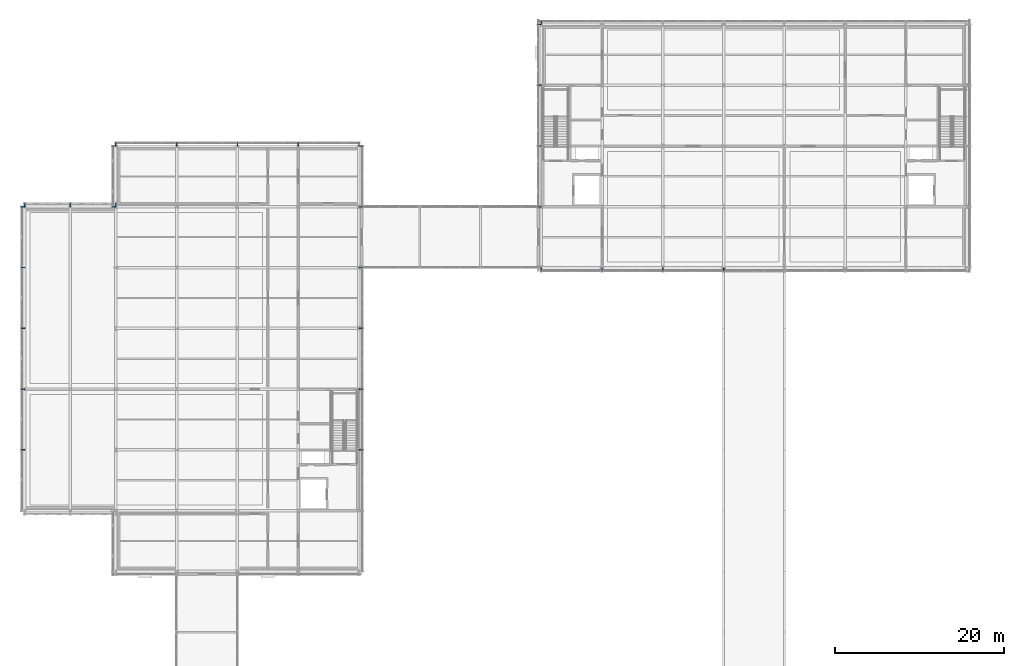
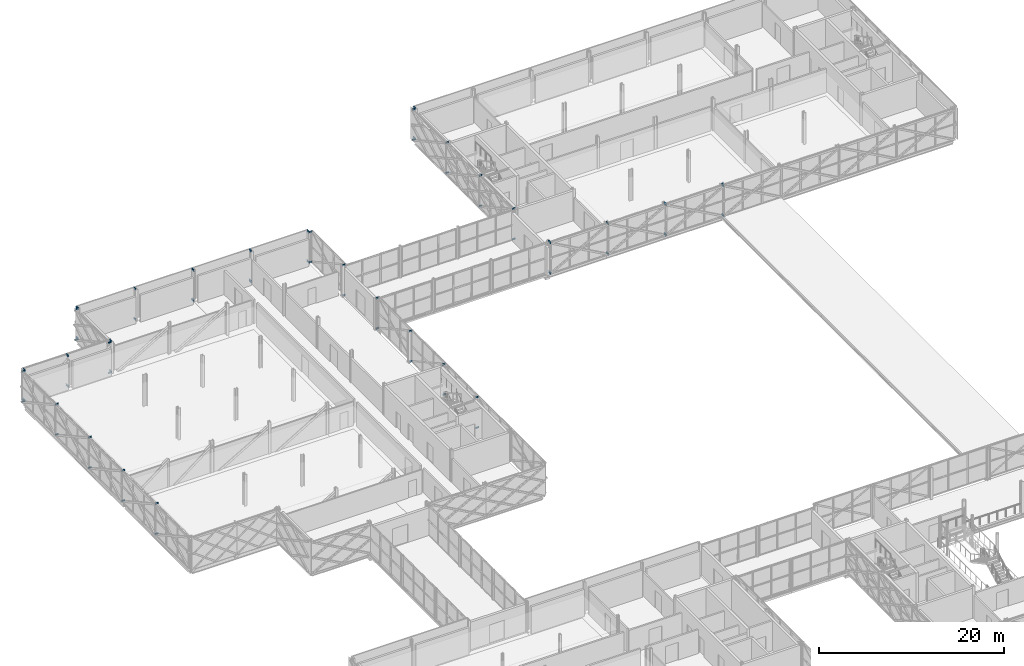
# One storey, part 71 of 126: 60 beams.
"""IFC4 building model written with IfcOpenShell, lengths in metres."""

import ifcopenshell
import ifcopenshell.guid

model = None  # the IFC model being written
_history = None  # IfcOwnerHistory: only IFC2X3 demands one
_inside = {}  # id of a spatial element -> (the spatial element, [elements in it])
_under = {}  # id of a project, library or spatial element -> (it, [spatial elements below it])
_declared = {}  # id of a project -> (the project, [libraries it declares])
_typed = {}  # id of a type object -> (the type object, [elements of that type])
_made_of = {}  # id of a material, layer set ... -> (it, [elements and type objects made of it])


def new_model(schema):
    """Start an empty IFC model of exactly this schema.

    Asked for "IFC4X3", IfcOpenShell would pick the latest addendum, in which some entities
    have other attributes; the version numbers below select the first issue.
    IFC2X3 requires an IfcOwnerHistory on every rooted entity: one is made here for all.
    """
    global model, _history
    if schema == "IFC4X3":
        model = ifcopenshell.file(schema_version=(4, 3, 0, 0))
    else:
        model = ifcopenshell.file(schema=schema)
    _inside.clear()
    _under.clear()
    _declared.clear()
    _typed.clear()
    _made_of.clear()
    _history = None
    if model.schema == "IFC2X3":
        org = make("IfcOrganization", Name="unknown")
        user = make(
            "IfcPersonAndOrganization",
            ThePerson=make("IfcPerson", FamilyName="unknown"),
            TheOrganization=org,
        )
        app = make(
            "IfcApplication",
            ApplicationDeveloper=org,
            Version="unknown",
            ApplicationFullName="unknown",
            ApplicationIdentifier="unknown",
        )
        _history = make(
            "IfcOwnerHistory",
            OwningUser=user,
            OwningApplication=app,
            ChangeAction="ADDED",
            CreationDate=0,
        )
    return model


def make(cls, **values):
    """One entity of the class cls with the attributes given. An attribute that is None is left unset."""
    return model.create_entity(
        cls, **{name: value for name, value in values.items() if value is not None}
    )


def rooted(cls, **values):
    """An entity with a GlobalId (a new one), such as an element, a storey or a relation."""
    return make(cls, GlobalId=ifcopenshell.guid.new(), OwnerHistory=_history, **values)


def si_unit(unit_type, name, prefix=None):
    """IfcSIUnit, for example si_unit("LENGTHUNIT", "METRE", prefix="MILLI")."""
    return make("IfcSIUnit", UnitType=unit_type, Prefix=prefix, Name=name)


def assignment(units):
    """IfcUnitAssignment: the units of a project."""
    return None if units is None else make("IfcUnitAssignment", Units=units)


def point(xyz):
    """IfcCartesianPoint."""
    return None if xyz is None else make("IfcCartesianPoint", Coordinates=xyz)


def direction(xyz):
    """IfcDirection."""
    return None if xyz is None else make("IfcDirection", DirectionRatios=xyz)


def frame(location, z_axis=None, x_axis=None):
    """IfcAxis2Placement3D, a coordinate frame: its origin and axes. An axis left out is left unset."""
    return make(
        "IfcAxis2Placement3D",
        Location=point(location),
        Axis=direction(z_axis),
        RefDirection=direction(x_axis),
    )


def frame_2d(location, x_axis=None):
    """IfcAxis2Placement2D, a coordinate frame in the plane: its origin and x axis."""
    return make(
        "IfcAxis2Placement2D", Location=point(location), RefDirection=direction(x_axis)
    )


def origin():
    """The frame at (0, 0, 0) with its axes left unset."""
    return frame((0.0, 0.0, 0.0))


def origin_2d():
    """The frame at (0, 0) in the plane with its x axis left unset."""
    return frame_2d((0.0, 0.0))


def place(relative_to, where):
    """IfcLocalPlacement: puts the frame where relative to a parent placement (None: the world)."""
    return make(
        "IfcLocalPlacement", PlacementRelTo=relative_to, RelativePlacement=where
    )


def context(
    kind, dimensions, precision=None, world=None, true_north=None, identifier=None
):
    """IfcGeometricRepresentationContext, for example the 3D "Model" context."""
    return make(
        "IfcGeometricRepresentationContext",
        ContextIdentifier=identifier,
        ContextType=kind,
        CoordinateSpaceDimension=dimensions,
        Precision=precision,
        WorldCoordinateSystem=world,
        TrueNorth=true_north,
    )


def subcontext(parent, identifier, kind, view, scale=None):
    """IfcGeometricRepresentationSubContext, for example "Body" below "Model"."""
    return make(
        "IfcGeometricRepresentationSubContext",
        ContextIdentifier=identifier,
        ContextType=kind,
        ParentContext=parent,
        TargetScale=scale,
        TargetView=view,
    )


def project(units=None, contexts=None):
    """IfcProject with its units and contexts."""
    return rooted(
        "IfcProject",
        Name="project",
        RepresentationContexts=contexts,
        UnitsInContext=assignment(units),
    )


def spatial(cls, under=None, at=None, **own):
    """A site, building, storey or space (cls), placed at a placement, below another one or the project."""
    s = rooted(cls, ObjectPlacement=at, **own)
    if under is not None:
        _under.setdefault(under.id(), (under, []))[1].append(s)
    return s


def profile(cls, at=None, kind="AREA", **sizes):
    """A parametric profile (cls). Its sizes go by their IFC names, for example OverallWidth=200.0."""
    return make(cls, ProfileType=kind, Position=at, **sizes)


def i_section(**sizes):
    """IfcIShapeProfileDef."""
    return profile("IfcIShapeProfileDef", **sizes)


def extrude(swept, where, along, depth):
    """IfcExtrudedAreaSolid: the profile swept, set in the frame where, extruded along a direction by depth."""
    return make(
        "IfcExtrudedAreaSolid",
        SweptArea=swept,
        Position=where,
        ExtrudedDirection=direction(along),
        Depth=depth,
    )


def shape(context_of_items, identifier, shape_type, items):
    """IfcShapeRepresentation: the items that make up one representation, for example the "Body"."""
    return make(
        "IfcShapeRepresentation",
        ContextOfItems=context_of_items,
        RepresentationIdentifier=identifier,
        RepresentationType=shape_type,
        Items=items,
    )


def material(Name=None, Category=None):
    """IfcMaterial."""
    return make("IfcMaterial", Name=Name, Category=Category)


def material_profile(
    of_material, cross_section, Name=None, Category=None, Priority=None
):
    """IfcMaterialProfile: a cross section and its material."""
    return make(
        "IfcMaterialProfile",
        Name=Name,
        Material=of_material,
        Profile=cross_section,
        Priority=Priority,
        Category=Category,
    )


def profile_set(profiles, Name=None, composite=None):
    """IfcMaterialProfileSet."""
    return make(
        "IfcMaterialProfileSet",
        Name=Name,
        MaterialProfiles=profiles,
        CompositeProfile=composite,
    )


def made_of(thing, what):
    """Note that an element or type object is made of a material, layer set ...; save() writes the relation."""
    if what is not None:
        _made_of.setdefault(what.id(), (what, []))[1].append(thing)
    return thing


def type_object(cls, material=None, **own):
    """A type object (cls), such as IfcWallType, which elements share."""
    return made_of(rooted(cls, **own), material)


def element(
    cls,
    number,
    at=None,
    inside=None,
    cuts=None,
    type_object=None,
    material=None,
    context=None,
    identifier="Body",
    shape_type=None,
    held_by="IfcProductDefinitionShape",
    body=None,
    shapes=None,
    **own,
):
    """One element of the class cls, such as IfcWall. Its Tag is "e" and its number.

    at: its placement. inside: the storey or other place that contains it. cuts: it is an
    opening in that element (IfcRelVoidsElement). A single representation is given by context,
    identifier, shape_type and body (its items); several are given by shapes. held_by: the class
    of the entity that holds the representations. save() writes the other relations.
    """
    e = rooted(cls, Tag="e%d" % number, ObjectPlacement=at, **own)
    if body is not None:
        shapes = [shape(context, identifier, shape_type, body)]
    if shapes is not None:
        e.Representation = make(held_by, Representations=shapes)
    if inside is not None:
        _inside.setdefault(inside.id(), (inside, []))[1].append(e)
    if cuts is not None:
        rooted(
            "IfcRelVoidsElement", RelatingBuildingElement=cuts, RelatedOpeningElement=e
        )
    if type_object is not None:
        _typed.setdefault(type_object.id(), (type_object, []))[1].append(e)
    return made_of(e, material)


def aggregate(whole, parts):
    """IfcRelAggregates: a whole, such as a stair, and the parts it consists of."""
    return rooted("IfcRelAggregates", RelatingObject=whole, RelatedObjects=parts)


def save(model, path):
    """Write the relations noted so far, then the file.

    IfcRelAggregates (storeys below a building ...), IfcRelContainedInSpatialStructure (elements
    in a storey), IfcRelDefinesByType, IfcRelAssociatesMaterial and IfcRelDeclares: one each for
    every whole, place, type object, material and project.
    """
    for whole, parts in _under.values():
        aggregate(whole, parts)
    for where, things in _inside.values():
        rooted(
            "IfcRelContainedInSpatialStructure",
            RelatedElements=things,
            RelatingStructure=where,
        )
    for kind, things in _typed.values():
        rooted("IfcRelDefinesByType", RelatedObjects=things, RelatingType=kind)
    for what, things in _made_of.values():
        rooted("IfcRelAssociatesMaterial", RelatedObjects=things, RelatingMaterial=what)
    for by, libraries in _declared.values():
        rooted("IfcRelDeclares", RelatingContext=by, RelatedDefinitions=libraries)
    model.write(path)


model = new_model("IFC4")

# Units and contexts
model_context = context("Model", 3, precision=1e-05, world=origin(), true_north=direction((0.0, 1.0)))
body_context = subcontext(model_context, "Body", "Model", "MODEL_VIEW")
ifc_project = project(units=[si_unit("LENGTHUNIT", "METRE"), si_unit("AREAUNIT", "SQUARE_METRE"), si_unit("VOLUMEUNIT", "CUBIC_METRE"), si_unit("PLANEANGLEUNIT", "RADIAN"), si_unit("MASSUNIT", "GRAM", prefix="KILO")], contexts=[model_context])

# Site, building, storey
site_placement = place(None, origin())
site = spatial("IfcSite", under=ifc_project, at=site_placement, CompositionType="ELEMENT")
building_placement = place(site_placement, origin())
building = spatial("IfcBuilding", under=site, at=building_placement, Name="Zlatovets Crest Museum", CompositionType="ELEMENT")
storey_placement = place(building_placement, frame((0.0, 0.0, 8.699951171875)))
storey = spatial("IfcBuildingStorey", under=building, at=storey_placement, Name="L02", CompositionType="ELEMENT", Elevation=8.699951171875)

# Beams
ifc_material = material(Name="Structural steel S355J2", Category="steel")
ifc_material_profile = material_profile(ifc_material, i_section(OverallWidth=0.10009765625, OverallDepth=0.199951171875, WebThickness=0.005615234375, FlangeThickness=0.008544921875, FilletRadius=0.011962890625, at=origin_2d()), Name="IPE 200")
ifc_profile_set = profile_set([ifc_material_profile], Name="Structural steel S355J2")
beam_type = type_object("IfcBeamType", Name="Beam_PR-02", PredefinedType="LINTEL", material=ifc_profile_set)
for number, where, z_axis, x_axis, name in (
    (1, (57.60009765625, 86.39990234375, 0.10009765625), (0.0, -1.0, 0.0), (1.0, 0.0, 0.0), "Lattice Structural Outrigger Tie"),
    (2, (57.60009765625, 86.39990234375, 4.10009765625), (0.0, -1.0, 0.0), (1.0, 0.0, 0.0), "Lattice Structural Outrigger Tie"),
    (3, (64.800048828125, 86.39990234375, 0.10009765625), (0.0, -1.0, 0.0), (1.0, 0.0, 0.0), "Lattice Structural Outrigger Tie"),
    (4, (64.800048828125, 86.39990234375, 4.10009765625), (0.0, -1.0, 0.0), (1.0, 0.0, 0.0), "Lattice Structural Outrigger Tie"),
    (5, (72.0, 86.39990234375, 0.10009765625), (0.0, -1.0, 0.0), (1.0, 0.0, 0.0), "Lattice Structural Outrigger Tie"),
    (6, (72.0, 86.39990234375, 4.10009765625), (0.0, -1.0, 0.0), (1.0, 0.0, 0.0), "Lattice Structural Outrigger Tie"),
    (7, (79.199951171875, 86.39990234375, 0.10009765625), (0.0, -1.0, 0.0), (1.0, 0.0, 0.0), "Lattice Structural Outrigger Tie"),
    (8, (79.199951171875, 86.39990234375, 4.10009765625), (0.0, -1.0, 0.0), (1.0, 0.0, 0.0), "Lattice Structural Outrigger Tie"),
):
    element("IfcBeam", number, at=place(storey_placement, frame(where, z_axis=z_axis, x_axis=x_axis)), inside=storey, type_object=beam_type, Name=name, PredefinedType="LINTEL", context=body_context, shape_type="SweptSolid", body=[
        extrude(i_section(OverallWidth=0.10009765625, OverallDepth=0.199951171875, WebThickness=0.005615234375, FlangeThickness=0.008544921875, FilletRadius=0.011962890625, at=origin_2d()), origin(), (0.0, 0.0, 1.0), 0.419921875),
    ])
for number, where, z_axis, x_axis, name in (
    (9, (57.60009765625, 115.199951171875, 0.10009765625), (0.0, 1.0, 0.0), (-1.0, 0.0, 0.0), "Lattice Structural Outrigger Tie"),
    (10, (57.60009765625, 115.199951171875, 4.10009765625), (0.0, 1.0, 0.0), (-1.0, 0.0, 0.0), "Lattice Structural Outrigger Tie"),
    (11, (57.60009765625, 115.199951171875, 0.10009765625), (-1.0, 0.0, 0.0), (0.0, -1.0, 0.0), "Lattice Structural Outrigger Tie"),
    (12, (57.60009765625, 115.199951171875, 4.10009765625), (-1.0, 0.0, 0.0), (0.0, -1.0, 0.0), "Lattice Structural Outrigger Tie"),
    (13, (57.60009765625, 108.0, 0.10009765625), (-1.0, 0.0, 0.0), (0.0, -1.0, 0.0), "Lattice Structural Outrigger Tie"),
    (14, (57.60009765625, 108.0, 4.10009765625), (-1.0, 0.0, 0.0), (0.0, -1.0, 0.0), "Lattice Structural Outrigger Tie"),
    (15, (57.60009765625, 100.800048828125, 0.10009765625), (-1.0, 0.0, 0.0), (0.0, -1.0, 0.0), "Lattice Structural Outrigger Tie"),
    (16, (57.60009765625, 100.800048828125, 4.10009765625), (-1.0, 0.0, 0.0), (0.0, -1.0, 0.0), "Lattice Structural Outrigger Tie"),
    (17, (57.60009765625, 93.60009765625, 0.10009765625), (-1.0, 0.0, 0.0), (0.0, -1.0, 0.0), "Lattice Structural Outrigger Tie"),
    (18, (57.60009765625, 93.60009765625, 4.10009765625), (-1.0, 0.0, 0.0), (0.0, -1.0, 0.0), "Lattice Structural Outrigger Tie"),
):
    element("IfcBeam", number, at=place(storey_placement, frame(where, z_axis=z_axis, x_axis=x_axis)), inside=storey, type_object=beam_type, Name=name, PredefinedType="LINTEL", context=body_context, shape_type="SweptSolid", body=[
        extrude(i_section(OverallWidth=0.10009765625, OverallDepth=0.199951171875, WebThickness=0.005615234375, FlangeThickness=0.008544921875, FilletRadius=0.011962890625, at=origin_2d()), origin(), (0.0, 0.0, 1.0), 0.420166015625),
    ])
for number, where, z_axis, x_axis, name in (
    (19, (36.0, 64.800048828125, 0.10009765625), (1.0, 0.0, 0.0), (0.0, 1.0, 0.0), "Lattice Structural Outrigger Tie"),
    (20, (36.0, 64.800048828125, 4.10009765625), (1.0, 0.0, 0.0), (0.0, 1.0, 0.0), "Lattice Structural Outrigger Tie"),
    (21, (36.0, 72.0, 0.10009765625), (1.0, 0.0, 0.0), (0.0, 1.0, 0.0), "Lattice Structural Outrigger Tie"),
    (22, (36.0, 72.0, 4.10009765625), (1.0, 0.0, 0.0), (0.0, 1.0, 0.0), "Lattice Structural Outrigger Tie"),
    (23, (36.0, 79.199951171875, 0.10009765625), (1.0, 0.0, 0.0), (0.0, 1.0, 0.0), "Lattice Structural Outrigger Tie"),
    (24, (36.0, 79.199951171875, 4.10009765625), (1.0, 0.0, 0.0), (0.0, 1.0, 0.0), "Lattice Structural Outrigger Tie"),
    (25, (36.0, 86.39990234375, 0.10009765625), (1.0, 0.0, 0.0), (0.0, 1.0, 0.0), "Lattice Structural Outrigger Tie"),
    (26, (36.0, 86.39990234375, 4.10009765625), (1.0, 0.0, 0.0), (0.0, 1.0, 0.0), "Lattice Structural Outrigger Tie"),
    (27, (36.0, 93.60009765625, 0.10009765625), (1.0, 0.0, 0.0), (0.0, 1.0, 0.0), "Lattice Structural Outrigger Tie"),
    (28, (36.0, 93.60009765625, 4.10009765625), (1.0, 0.0, 0.0), (0.0, 1.0, 0.0), "Lattice Structural Outrigger Tie"),
    (29, (36.0, 100.800048828125, 0.10009765625), (1.0, 0.0, 0.0), (0.0, 1.0, 0.0), "Lattice Structural Outrigger Tie"),
    (30, (36.0, 100.800048828125, 4.10009765625), (1.0, 0.0, 0.0), (0.0, 1.0, 0.0), "Lattice Structural Outrigger Tie"),
    (31, (14.39990234375, 100.800048828125, 0.10009765625), (0.0, 1.0, 0.0), (-1.0, 0.0, 0.0), "Lattice Structural Outrigger Tie"),
    (32, (14.39990234375, 100.800048828125, 4.10009765625), (0.0, 1.0, 0.0), (-1.0, 0.0, 0.0), "Lattice Structural Outrigger Tie"),
    (33, (7.199951171875, 100.800048828125, 0.10009765625), (0.0, 1.0, 0.0), (-1.0, 0.0, 0.0), "Lattice Structural Outrigger Tie"),
    (34, (7.199951171875, 100.800048828125, 4.10009765625), (0.0, 1.0, 0.0), (-1.0, 0.0, 0.0), "Lattice Structural Outrigger Tie"),
    (35, (21.60009765625, 100.800048828125, 0.10009765625), (0.0, 1.0, 0.0), (-1.0, 0.0, 0.0), "Lattice Structural Outrigger Tie"),
    (36, (21.60009765625, 100.800048828125, 4.10009765625), (0.0, 1.0, 0.0), (-1.0, 0.0, 0.0), "Lattice Structural Outrigger Tie"),
    (37, (28.800048828125, 100.800048828125, 0.10009765625), (0.0, 1.0, 0.0), (-1.0, 0.0, 0.0), "Lattice Structural Outrigger Tie"),
    (38, (28.800048828125, 100.800048828125, 4.10009765625), (0.0, 1.0, 0.0), (-1.0, 0.0, 0.0), "Lattice Structural Outrigger Tie"),
    (39, (36.0, 100.800048828125, 0.10009765625), (0.0, 1.0, 0.0), (-1.0, 0.0, 0.0), "Lattice Structural Outrigger Tie"),
    (40, (36.0, 100.800048828125, 4.10009765625), (0.0, 1.0, 0.0), (-1.0, 0.0, 0.0), "Lattice Structural Outrigger Tie"),
    (41, (7.199951171875, 100.800048828125, 0.10009765625), (-1.0, 0.0, 0.0), (0.0, -1.0, 0.0), "Lattice Structural Outrigger Tie"),
    (42, (7.199951171875, 100.800048828125, 4.10009765625), (-1.0, 0.0, 0.0), (0.0, -1.0, 0.0), "Lattice Structural Outrigger Tie"),
    (43, (7.199951171875, 93.60009765625, 0.10009765625), (-1.0, 0.0, 0.0), (0.0, -1.0, 0.0), "Lattice Structural Outrigger Tie"),
    (44, (7.199951171875, 93.60009765625, 4.10009765625), (-1.0, 0.0, 0.0), (0.0, -1.0, 0.0), "Lattice Structural Outrigger Tie"),
    (45, (7.199951171875, 93.60009765625, 0.10009765625), (0.0, 1.0, 0.0), (-1.0, 0.0, 0.0), "Lattice Structural Outrigger Tie"),
    (46, (7.199951171875, 93.60009765625, 4.10009765625), (0.0, 1.0, 0.0), (-1.0, 0.0, 0.0), "Lattice Structural Outrigger Tie"),
    (47, (1.800048828125, 93.60009765625, 0.10009765625), (0.0, 1.0, 0.0), (-1.0, 0.0, 0.0), "Lattice Structural Outrigger Tie"),
    (48, (1.800048828125, 93.60009765625, 4.10009765625), (0.0, 1.0, 0.0), (-1.0, 0.0, 0.0), "Lattice Structural Outrigger Tie"),
    (49, (-3.60009765625, 93.60009765625, 0.10009765625), (0.0, 1.0, 0.0), (-1.0, 0.0, 0.0), "Lattice Structural Outrigger Tie"),
    (50, (-3.60009765625, 93.60009765625, 4.10009765625), (0.0, 1.0, 0.0), (-1.0, 0.0, 0.0), "Lattice Structural Outrigger Tie"),
    (51, (-3.60009765625, 93.60009765625, 0.10009765625), (-1.0, 0.0, 0.0), (0.0, -1.0, 0.0), "Lattice Structural Outrigger Tie"),
    (52, (-3.60009765625, 93.60009765625, 4.10009765625), (-1.0, 0.0, 0.0), (0.0, -1.0, 0.0), "Lattice Structural Outrigger Tie"),
    (53, (-3.60009765625, 86.39990234375, 0.10009765625), (-1.0, 0.0, 0.0), (0.0, -1.0, 0.0), "Lattice Structural Outrigger Tie"),
    (54, (-3.60009765625, 86.39990234375, 4.10009765625), (-1.0, 0.0, 0.0), (0.0, -1.0, 0.0), "Lattice Structural Outrigger Tie"),
    (55, (-3.60009765625, 79.199951171875, 0.10009765625), (-1.0, 0.0, 0.0), (0.0, -1.0, 0.0), "Lattice Structural Outrigger Tie"),
    (56, (-3.60009765625, 79.199951171875, 4.10009765625), (-1.0, 0.0, 0.0), (0.0, -1.0, 0.0), "Lattice Structural Outrigger Tie"),
    (57, (-3.60009765625, 72.0, 0.10009765625), (-1.0, 0.0, 0.0), (0.0, -1.0, 0.0), "Lattice Structural Outrigger Tie"),
    (58, (-3.60009765625, 72.0, 4.10009765625), (-1.0, 0.0, 0.0), (0.0, -1.0, 0.0), "Lattice Structural Outrigger Tie"),
    (59, (-3.60009765625, 64.800048828125, 0.10009765625), (-1.0, 0.0, 0.0), (0.0, -1.0, 0.0), "Lattice Structural Outrigger Tie"),
    (60, (-3.60009765625, 64.800048828125, 4.10009765625), (-1.0, 0.0, 0.0), (0.0, -1.0, 0.0), "Lattice Structural Outrigger Tie"),
):
    element("IfcBeam", number, at=place(storey_placement, frame(where, z_axis=z_axis, x_axis=x_axis)), inside=storey, type_object=beam_type, Name=name, PredefinedType="LINTEL", context=body_context, shape_type="SweptSolid", body=[
        extrude(i_section(OverallWidth=0.10009765625, OverallDepth=0.199951171875, WebThickness=0.005615234375, FlangeThickness=0.008544921875, FilletRadius=0.011962890625, at=origin_2d()), origin(), (0.0, 0.0, 1.0), 0.419921875),
    ])

save(model, "model.ifc")
